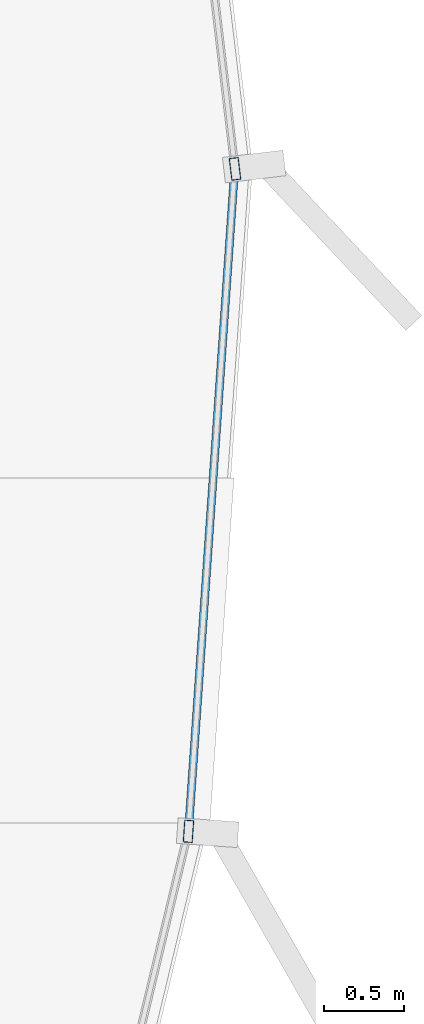
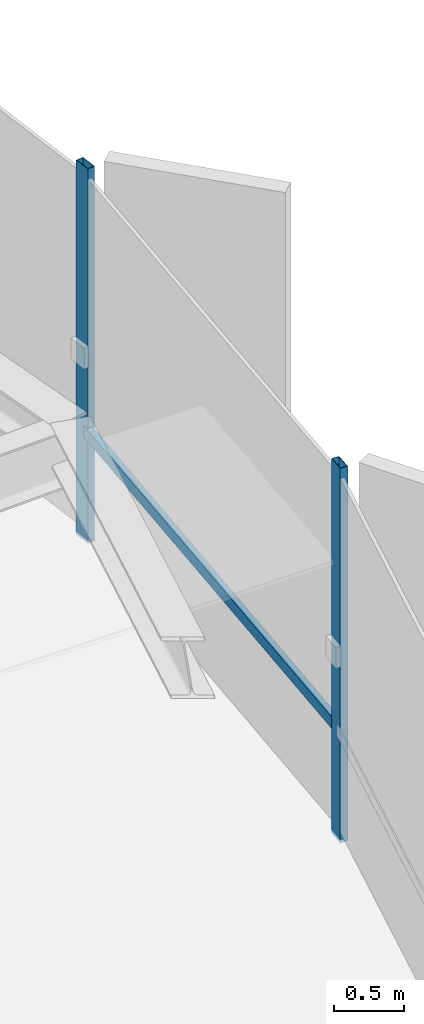
# One storey, part 19 of 35: 3 members, 1 element without a shape of its own.
"""IFC4 building model written with IfcOpenShell, lengths in metres."""

from ifc_helpers import new_model, si_unit, direction, frame, origin, origin_2d, place, context, subcontext, project, spatial, hollow_rectangle, extrude, source, transform, mapped, material, layer, layer_set, material_profile, profile_set, type_object, element, aggregate, save


model = new_model("IFC4")

# Units and contexts
model_context = context("Model", 3, precision=1e-05, world=origin(), true_north=direction((0.0, 1.0)))
body_context = subcontext(model_context, "Body", "Model", "MODEL_VIEW")
ifc_project = project(units=[si_unit("LENGTHUNIT", "METRE"), si_unit("AREAUNIT", "SQUARE_METRE"), si_unit("VOLUMEUNIT", "CUBIC_METRE"), si_unit("PLANEANGLEUNIT", "RADIAN"), si_unit("MASSUNIT", "GRAM", prefix="KILO"), si_unit("THERMODYNAMICTEMPERATUREUNIT", "KELVIN")], contexts=[model_context])

# Site, building, storey
site_placement = place(None, origin())
site = spatial("IfcSite", under=ifc_project, at=site_placement, CompositionType="ELEMENT")
building_placement = place(site_placement, origin())
building = spatial("IfcBuilding", under=site, at=building_placement, Name="Kethvar Cultural Tower", CompositionType="ELEMENT")
storey_placement = place(building_placement, frame((0.0, 0.0, 193.89990234375)))
storey = spatial("IfcBuildingStorey", under=building, at=storey_placement, Name="L50", CompositionType="ELEMENT", Elevation=193.89990234375)

# Curtain wall, members
ifc_material = material(Name="Aluminium 6063-T6", Category="aluminium")
ifc_layer = layer(ifc_material, 0.179931640625, Name="Aluminium 6063-T6", Category="aluminium")
ifc_layer_set = layer_set([ifc_layer], Name="Aluminium 6063-T6 (180 mm)")
curtain_wall_type = type_object("IfcCurtainWallType", Name="CW-SYS-04-Z34", PredefinedType="NOTDEFINED", material=ifc_layer_set)
curtain_wall_placement = place(storey_placement, origin())
curtain_wall = element("IfcCurtainWall", 1, at=curtain_wall_placement, inside=storey, type_object=curtain_wall_type, Name="L50 Curtain Wall Run 06", PredefinedType="NOTDEFINED")
ifc_material_profile_1 = material_profile(ifc_material, hollow_rectangle(XDim=0.06005859375, YDim=0.139892578125, WallThickness=0.0048828125, at=origin_2d()), Name="Aluminium 6063-T6 — RHS140x60x5")
ifc_profile_set_1 = profile_set([ifc_material_profile_1], Name="Aluminium 6063-T6 — RHS140x60x5")
member_type_1 = type_object("IfcMemberType", Name="CW-SYS-04-Z34-MUL", PredefinedType="MULLION", material=ifc_profile_set_1)
shared_shape_1 = source(origin(), body_context, "Body", "SweptSolid", [
    extrude(hollow_rectangle(XDim=0.06005859375, YDim=0.139892578125, WallThickness=0.0048828125, at=origin_2d()), origin(), (0.0, 0.0, 1.0), 3.260009765625),
])
member_1_placement = place(storey_placement, frame((71.15966796875, 30.44921875, 0.0), z_axis=(0.0, 0.0, 1.0), x_axis=(-0.997571349671, 0.069652008699, 0.0)))
member_1 = element("IfcMember", 2, at=member_1_placement, type_object=member_type_1, Name="CW-L50-R06 Mullion 3", PredefinedType="MULLION", context=body_context, shape_type="MappedRepresentation", body=[
    mapped(shared_shape_1, transform((0.0, 0.0, 0.0), scale=1.0)),
])
member_2_placement = place(storey_placement, frame((71.44970703125, 34.577880859375, 0.0), z_axis=(0.0, 0.0, 1.0), x_axis=(-0.99298203074, -0.118265323013, 0.0)))
member_2 = element("IfcMember", 3, at=member_2_placement, type_object=member_type_1, Name="CW-L50-R06 Mullion 4", PredefinedType="MULLION", context=body_context, shape_type="MappedRepresentation", body=[
    mapped(shared_shape_1, transform((0.0, 0.0, 0.0), scale=1.0)),
])
ifc_material_profile_2 = material_profile(ifc_material, hollow_rectangle(XDim=0.050048828125, YDim=0.10009765625, WallThickness=0.00390625, at=origin_2d()), Name="Aluminium 6063-T6 — RHS100x50x4")
ifc_profile_set_2 = profile_set([ifc_material_profile_2], Name="Aluminium 6063-T6 — RHS100x50x4")
member_type_2 = type_object("IfcMemberType", Name="CW-SYS-04-Z34-TRN", PredefinedType="USERDEFINED", material=ifc_profile_set_2)
shared_shape_2 = source(origin(), body_context, "Body", "SweptSolid", [
    extrude(hollow_rectangle(XDim=0.050048828125, YDim=0.10009765625, WallThickness=0.00390625, at=origin_2d()), origin(), (0.0, 0.0, 1.0), 4.073486328125),
])
member_3_placement = place(storey_placement, frame((71.16259765625, 30.4921875, 0.9501953125), z_axis=(0.069645424327, 0.99757180938, 0.0), x_axis=(-0.99757180938, 0.069645424327, 0.0)))
member_3 = element("IfcMember", 4, at=member_3_placement, type_object=member_type_2, Name="CW-L50-R06 Transom 3", ObjectType="TRANSOM", PredefinedType="USERDEFINED", context=body_context, shape_type="MappedRepresentation", body=[
    mapped(shared_shape_2, transform((0.0, 0.0, 0.0), scale=1.0)),
])
aggregate(curtain_wall, [member_1, member_2, member_3])

save(model, "model.ifc")
